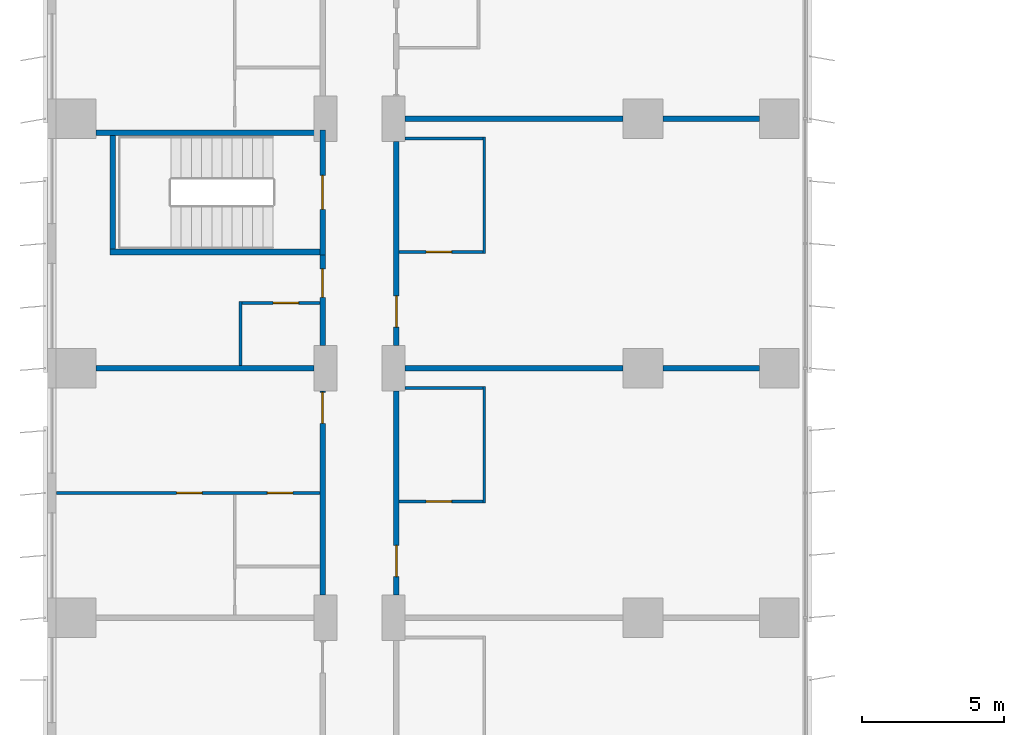
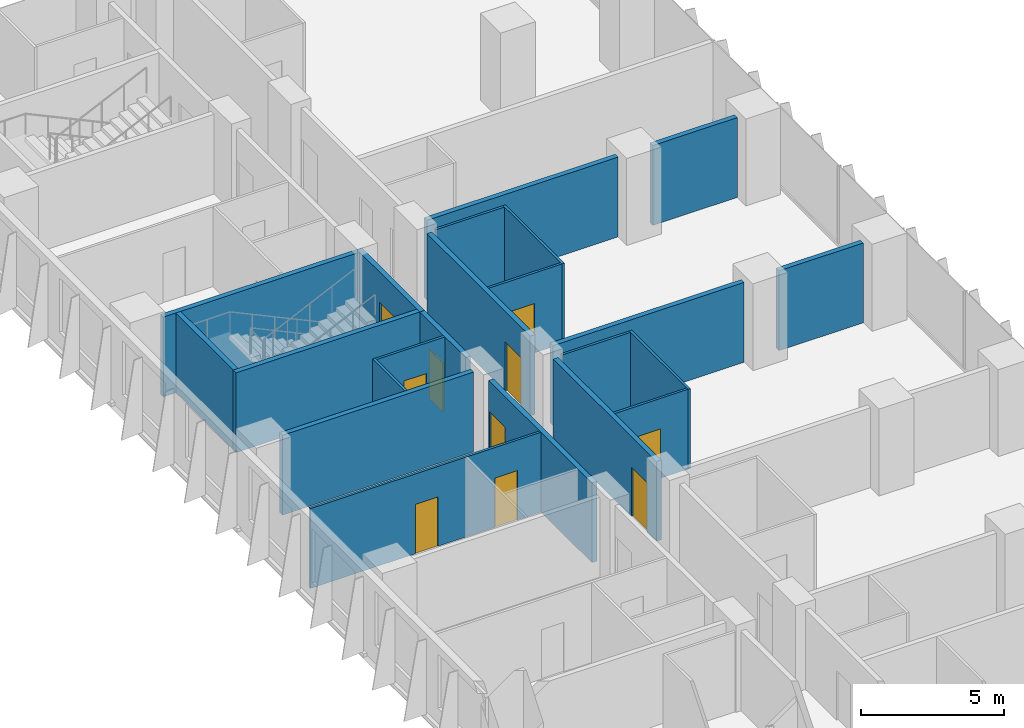
# One storey, part 17 of 24: 22 walls, 10 doors, 10 openings.
"""IFC4 building model written with IfcOpenShell, lengths in metres."""

from ifc_helpers import new_model, si_unit, direction, frame, frame_2d, origin, place, context, subcontext, project, spatial, rectangle, extrude, material, layer, layer_set, type_object, element, fill, save


model = new_model("IFC4")

# Units and contexts
model_context = context("Model", 3, precision=1e-05, world=origin(), true_north=direction((0.0, 1.0)))
body_context = subcontext(model_context, "Body", "Model", "MODEL_VIEW")
ifc_project = project(units=[si_unit("LENGTHUNIT", "METRE"), si_unit("AREAUNIT", "SQUARE_METRE"), si_unit("VOLUMEUNIT", "CUBIC_METRE"), si_unit("PLANEANGLEUNIT", "RADIAN"), si_unit("MASSUNIT", "GRAM", prefix="KILO")], contexts=[model_context])

# Site, building, storey
site_placement = place(None, origin())
site = spatial("IfcSite", under=ifc_project, at=site_placement, CompositionType="ELEMENT")
building_placement = place(site_placement, origin())
building = spatial("IfcBuilding", under=site, at=building_placement, Name="Kemantara Hotel Tower", CompositionType="ELEMENT")
storey_placement = place(building_placement, frame((0.0, 0.0, 76.0)))
storey = spatial("IfcBuildingStorey", under=building, at=storey_placement, Name="L17", CompositionType="ELEMENT", Elevation=76.0)

# Wall, opening, door
ifc_material_1 = material(Name="Gypsum board partition, steel studs and mineral wool, 200 mm", Category="steel")
ifc_layer_1 = layer(ifc_material_1, 0.199951171875)
ifc_layer_set_1 = layer_set([ifc_layer_1], Name="Gypsum board partition, steel studs and mineral wool, 200 mm")
wall_type_1 = type_object("IfcWallType", Name="CORRIDOR WALL 200", PredefinedType="PARTITIONING", material=ifc_layer_set_1)
wall_1_placement = place(storey_placement, frame((9.699951171875, 45.800048828125, 0.0), z_axis=(0.0, 0.0, 1.0), x_axis=(0.0, 1.0, 0.0)))
wall_1 = element("IfcWall", 1, at=wall_1_placement, inside=storey, type_object=wall_type_1, Name="CORRIDOR WALL 200 030", PredefinedType="PARTITIONING", context=body_context, shape_type="SweptSolid", body=[
    extrude(rectangle(XDim=7.199951171875, YDim=0.199951171875, at=frame_2d((3.60009765625, 0.0))), origin(), (0.0, 0.0, 1.0), 3.39990234375),
])
opening_1_placement = place(wall_1_placement, frame((6.0498046875, 0.0, 0.0)))
opening_1 = element("IfcOpeningElement", 2, at=opening_1_placement, cuts=wall_1, Name="Opening F06-040", PredefinedType="OPENING", context=body_context, shape_type="SweptSolid", body=[
    extrude(rectangle(XDim=1.10009765625, YDim=2.10009765625, at=frame_2d((0.550048828125, 1.050048828125))), frame((0.0, 0.10986328125, 0.0), z_axis=(0.0, -1.0, 0.0), x_axis=(1.0, 0.0, 0.0)), (0.0, 0.0, 1.0), 0.219970703125),
])
ifc_material_2 = material(Name="Hardwood veneer door leaf with steel frame", Category="steel")
door_type_1 = type_object("IfcDoorType", Name="SUITE ENTRANCE DOOR 1100 X 2100 FD30S", OperationType="NOTDEFINED", PredefinedType="DOOR", material=ifc_material_2)
door_1_placement = place(opening_1_placement, origin())
door_1 = element("IfcDoor", 3, at=door_1_placement, inside=storey, type_object=door_type_1, Name="SUITE ENTRANCE DOOR F06-040", OperationType="SINGLE_SWING_RIGHT", OverallHeight=2.10009765625, OverallWidth=1.10009765625, PredefinedType="DOOR", context=body_context, shape_type="SweptSolid", body=[
    extrude(rectangle(XDim=1.10009765625, YDim=2.10009765625, at=frame_2d((0.550048828125, 1.050048828125))), frame((0.0, 0.02490234375, 0.0), z_axis=(0.0, -1.0, 0.0), x_axis=(1.0, 0.0, 0.0)), (0.0, 0.0, 1.0), 0.050048828125),
])
fill(opening_1, door_1)

wall_2_placement = place(storey_placement, frame((9.699951171875, 54.60009765625, 0.0), z_axis=(0.0, 0.0, 1.0), x_axis=(0.0, 1.0, 0.0)))
wall_2 = element("IfcWall", 4, at=wall_2_placement, inside=storey, type_object=wall_type_1, Name="CORRIDOR WALL 200 031", PredefinedType="PARTITIONING", context=body_context, shape_type="SweptSolid", body=[
    extrude(rectangle(XDim=3.199951171875, YDim=0.199951171875, at=frame_2d((1.60009765625, 0.0))), origin(), (0.0, 0.0, 1.0), 3.39990234375),
])
opening_2_placement = place(wall_2_placement, frame((1.699951171875, 0.0, 0.0)))
opening_2 = element("IfcOpeningElement", 5, at=opening_2_placement, cuts=wall_2, Name="Opening F06-044", PredefinedType="OPENING", context=body_context, shape_type="SweptSolid", body=[
    extrude(rectangle(XDim=1.0, YDim=2.10009765625, at=frame_2d((0.5, 1.050048828125))), frame((0.0, 0.10986328125, 0.0), z_axis=(0.0, -1.0, 0.0), x_axis=(1.0, 0.0, 0.0)), (0.0, 0.0, 1.0), 0.219970703125),
])
door_type_2 = type_object("IfcDoorType", Name="GUEST ROOM DOOR 1000 X 2100 FD30S", OperationType="NOTDEFINED", PredefinedType="DOOR", material=ifc_material_2)
door_2_placement = place(opening_2_placement, origin())
door_2 = element("IfcDoor", 6, at=door_2_placement, inside=storey, type_object=door_type_2, Name="GUEST ROOM DOOR F06-044", OperationType="SINGLE_SWING_RIGHT", OverallHeight=2.10009765625, OverallWidth=1.0, PredefinedType="DOOR", context=body_context, shape_type="SweptSolid", body=[
    extrude(rectangle(XDim=1.0, YDim=2.10009765625, at=frame_2d((0.5, 1.050048828125))), frame((0.0, 0.02490234375, 0.0), z_axis=(0.0, -1.0, 0.0), x_axis=(1.0, 0.0, 0.0)), (0.0, 0.0, 1.0), 0.050048828125),
])
fill(opening_2, door_2)

wall_3_placement = place(storey_placement, frame((12.300048828125, 53.0, 0.0), z_axis=(0.0, 0.0, 1.0), x_axis=(0.0, -1.0, 0.0)))
wall_3 = element("IfcWall", 7, at=wall_3_placement, inside=storey, type_object=wall_type_1, Name="CORRIDOR WALL 200 047", PredefinedType="PARTITIONING", context=body_context, shape_type="SweptSolid", body=[
    extrude(rectangle(XDim=7.199951171875, YDim=0.199951171875, at=frame_2d((3.60009765625, 0.0))), origin(), (0.0, 0.0, 1.0), 3.39990234375),
])
opening_3_placement = place(wall_3_placement, frame((5.449951171875, 0.0, 0.0)))
opening_3 = element("IfcOpeningElement", 8, at=opening_3_placement, cuts=wall_3, Name="Opening F06-058", PredefinedType="OPENING", context=body_context, shape_type="SweptSolid", body=[
    extrude(rectangle(XDim=1.10009765625, YDim=2.10009765625, at=frame_2d((0.550048828125, 1.050048828125))), frame((0.0, 0.10986328125, 0.0), z_axis=(0.0, -1.0, 0.0), x_axis=(1.0, 0.0, 0.0)), (0.0, 0.0, 1.0), 0.219970703125),
])
door_3_placement = place(opening_3_placement, origin())
door_3 = element("IfcDoor", 9, at=door_3_placement, inside=storey, type_object=door_type_1, Name="SUITE ENTRANCE DOOR F06-058", OperationType="SINGLE_SWING_RIGHT", OverallHeight=2.10009765625, OverallWidth=1.10009765625, PredefinedType="DOOR", context=body_context, shape_type="SweptSolid", body=[
    extrude(rectangle(XDim=1.10009765625, YDim=2.10009765625, at=frame_2d((0.550048828125, 1.050048828125))), frame((0.0, 0.02490234375, 0.0), z_axis=(0.0, -1.0, 0.0), x_axis=(1.0, 0.0, 0.0)), (0.0, 0.0, 1.0), 0.050048828125),
])
fill(opening_3, door_3)

wall_4_placement = place(storey_placement, frame((12.300048828125, 61.7998046875, 0.0), z_axis=(0.0, 0.0, 1.0), x_axis=(0.0, -1.0, 0.0)))
wall_4 = element("IfcWall", 10, at=wall_4_placement, inside=storey, type_object=wall_type_1, Name="CORRIDOR WALL 200 048", PredefinedType="PARTITIONING", context=body_context, shape_type="SweptSolid", body=[
    extrude(rectangle(XDim=7.19970703125, YDim=0.199951171875, at=frame_2d((3.599853515625, 0.0))), origin(), (0.0, 0.0, 1.0), 3.39990234375),
])
opening_4_placement = place(wall_4_placement, frame((5.449951171875, 0.0, 0.0)))
opening_4 = element("IfcOpeningElement", 11, at=opening_4_placement, cuts=wall_4, Name="Opening F06-060", PredefinedType="OPENING", context=body_context, shape_type="SweptSolid", body=[
    extrude(rectangle(XDim=1.10009765625, YDim=2.10009765625, at=frame_2d((0.550048828125, 1.050048828125))), frame((0.0, 0.10986328125, 0.0), z_axis=(0.0, -1.0, 0.0), x_axis=(1.0, 0.0, 0.0)), (0.0, 0.0, 1.0), 0.219970703125),
])
door_4_placement = place(opening_4_placement, origin())
door_4 = element("IfcDoor", 12, at=door_4_placement, inside=storey, type_object=door_type_1, Name="SUITE ENTRANCE DOOR F06-060", OperationType="SINGLE_SWING_RIGHT", OverallHeight=2.10009765625, OverallWidth=1.10009765625, PredefinedType="DOOR", context=body_context, shape_type="SweptSolid", body=[
    extrude(rectangle(XDim=1.10009765625, YDim=2.10009765625, at=frame_2d((0.550048828125, 1.050048828125))), frame((0.0, 0.02490234375, 0.0), z_axis=(0.0, -1.0, 0.0), x_axis=(1.0, 0.0, 0.0)), (0.0, 0.0, 1.0), 0.050048828125),
])
fill(opening_4, door_4)

ifc_material_3 = material(Name="Concrete fc 40 MPa", Category="concrete")
ifc_layer_2 = layer(ifc_material_3, 0.199951171875)
ifc_layer_set_2 = layer_set([ifc_layer_2], Name="Concrete fc 40 MPa")
wall_type_2 = type_object("IfcWallType", Name="Concrete stair wall 200 mm", PredefinedType="SHEAR", material=ifc_layer_set_2)
wall_5_placement = place(storey_placement, frame((9.699951171875, 57.800048828125, 0.0), z_axis=(0.0, 0.0, 1.0), x_axis=(0.0, 1.0, 0.0)))
wall_5 = element("IfcWall", 13, at=wall_5_placement, inside=storey, type_object=wall_type_2, Name="Stair ST4 enclosure wall with door", PredefinedType="SHEAR", context=body_context, shape_type="SweptSolid", body=[
    extrude(rectangle(XDim=4.39990234375, YDim=0.199951171875, at=frame_2d((2.199951171875, 0.0))), origin(), (0.0, 0.0, 1.0), 3.39990234375),
])
opening_5_placement = place(wall_5_placement, frame((1.60009765625, 0.0, 0.0)))
opening_5 = element("IfcOpeningElement", 14, at=opening_5_placement, cuts=wall_5, Name="Opening ST4-C", PredefinedType="OPENING", context=body_context, shape_type="SweptSolid", body=[
    extrude(rectangle(XDim=1.199951171875, YDim=2.10009765625, at=frame_2d((0.60009765625, 1.050048828125))), frame((0.0, 0.10986328125, 0.0), z_axis=(0.0, -1.0, 0.0), x_axis=(1.0, 0.0, 0.0)), (0.0, 0.0, 1.0), 0.219970703125),
])
ifc_material_4 = material(Name="Steel fire door", Category="steel")
door_type_3 = type_object("IfcDoorType", Name="Fire door FD90 1200 x 2100", OperationType="NOTDEFINED", PredefinedType="DOOR", material=ifc_material_4)
door_5_placement = place(opening_5_placement, origin())
door_5 = element("IfcDoor", 15, at=door_5_placement, inside=storey, type_object=door_type_3, Name="Stair ST4 door", OperationType="SINGLE_SWING_RIGHT", OverallHeight=2.10009765625, OverallWidth=1.199951171875, PredefinedType="DOOR", context=body_context, shape_type="SweptSolid", body=[
    extrude(rectangle(XDim=1.199951171875, YDim=2.10009765625, at=frame_2d((0.60009765625, 1.050048828125))), frame((0.0, 0.02490234375, 0.0), z_axis=(0.0, -1.0, 0.0), x_axis=(1.0, 0.0, 0.0)), (0.0, 0.0, 1.0), 0.050048828125),
])
fill(opening_5, door_5)

# Walls
wall_6_placement = place(storey_placement, frame((1.699951171875, 62.10009765625, 0.0), z_axis=(0.0, 0.0, 1.0), x_axis=(1.0, 0.0, 0.0)))
element("IfcWall", 16, at=wall_6_placement, inside=storey, type_object=wall_type_2, Name="Stair ST4 enclosure wall N", PredefinedType="SHEAR", context=body_context, shape_type="SweptSolid", body=[
    extrude(rectangle(XDim=7.900146484375, YDim=0.199951171875, at=frame_2d((3.9501953125, 0.0))), origin(), (0.0, 0.0, 1.0), 3.39990234375),
])
wall_7_placement = place(storey_placement, frame((2.199951171875, 57.89990234375, 0.0), z_axis=(0.0, 0.0, 1.0), x_axis=(1.0, 0.0, 0.0)))
element("IfcWall", 17, at=wall_7_placement, inside=storey, type_object=wall_type_2, Name="Stair ST4 enclosure wall S", PredefinedType="SHEAR", context=body_context, shape_type="SweptSolid", body=[
    extrude(rectangle(XDim=7.400146484375, YDim=0.199951171875, at=frame_2d((3.7001953125, 0.0))), origin(), (0.0, 0.0, 1.0), 3.39990234375),
])
wall_8_placement = place(storey_placement, frame((2.300048828125, 58.0, 0.0), z_axis=(0.0, 0.0, 1.0), x_axis=(0.0, 1.0, 0.0)))
element("IfcWall", 18, at=wall_8_placement, inside=storey, type_object=wall_type_2, Name="Stair ST4 enclosure wall W", PredefinedType="SHEAR", context=body_context, shape_type="SweptSolid", body=[
    extrude(rectangle(XDim=4.0, YDim=0.199951171875, at=frame_2d((2.0, 0.0))), origin(), (0.0, 0.0, 1.0), 3.39990234375),
])
ifc_layer_3 = layer(ifc_material_1, 0.199951171875)
ifc_layer_set_3 = layer_set([ifc_layer_3], Name="Gypsum board partition, steel studs and mineral wool, 200 mm")
wall_type_3 = type_object("IfcWallType", Name="GUEST ROOM PARTY WALL 200", PredefinedType="PARTITIONING", material=ifc_layer_set_3)
for number, where, z_axis, x_axis, name in (
    (19, (1.7001953125, 53.800048828125, 0.0), (0.0, 0.0, 1.0), (1.0, 0.0, 0.0), "GUEST ROOM PARTY WALL 200 041"),
    (20, (12.60009765625, 53.800048828125, 0.0), (0.0, 0.0, 1.0), (1.0, 0.0, 0.0), "GUEST ROOM PARTY WALL 200 042"),
):
    element("IfcWall", number, at=place(storey_placement, frame(where, z_axis=z_axis, x_axis=x_axis)), inside=storey, type_object=wall_type_3, Name=name, PredefinedType="PARTITIONING", context=body_context, shape_type="SweptSolid", body=[
        extrude(rectangle(XDim=7.69970703125, YDim=0.199951171875, at=frame_2d((3.849853515625, 0.0))), origin(), (0.0, 0.0, 1.0), 3.39990234375),
    ])
wall_9_placement = place(storey_placement, frame((21.7001953125, 53.800048828125, 0.0), z_axis=(0.0, 0.0, 1.0), x_axis=(1.0, 0.0, 0.0)))
element("IfcWall", 21, at=wall_9_placement, inside=storey, type_object=wall_type_3, Name="GUEST ROOM PARTY WALL 200 043", PredefinedType="PARTITIONING", context=body_context, shape_type="SweptSolid", body=[
    extrude(rectangle(XDim=3.399658203125, YDim=0.199951171875, at=frame_2d((1.69970703125, 0.0))), origin(), (0.0, 0.0, 1.0), 3.39990234375),
])
wall_10_placement = place(storey_placement, frame((12.60009765625, 62.60009765625, 0.0), z_axis=(0.0, 0.0, 1.0), x_axis=(1.0, 0.0, 0.0)))
element("IfcWall", 22, at=wall_10_placement, inside=storey, type_object=wall_type_3, Name="GUEST ROOM PARTY WALL 200 055", PredefinedType="PARTITIONING", context=body_context, shape_type="SweptSolid", body=[
    extrude(rectangle(XDim=7.69970703125, YDim=0.199951171875, at=frame_2d((3.849853515625, 0.0))), origin(), (0.0, 0.0, 1.0), 3.39990234375),
])
wall_11_placement = place(storey_placement, frame((21.7001953125, 62.60009765625, 0.0), z_axis=(0.0, 0.0, 1.0), x_axis=(1.0, 0.0, 0.0)))
element("IfcWall", 23, at=wall_11_placement, inside=storey, type_object=wall_type_3, Name="GUEST ROOM PARTY WALL 200 056", PredefinedType="PARTITIONING", context=body_context, shape_type="SweptSolid", body=[
    extrude(rectangle(XDim=3.399658203125, YDim=0.199951171875, at=frame_2d((1.69970703125, 0.0))), origin(), (0.0, 0.0, 1.0), 3.39990234375),
])

# Wall, openings, doors
ifc_material_5 = material(Name="Gypsum board partition on steel studs, 100 mm", Category="steel")
ifc_layer_4 = layer(ifc_material_5, 0.10009765625)
ifc_layer_set_4 = layer_set([ifc_layer_4], Name="Gypsum board partition on steel studs, 100 mm")
wall_type_4 = type_object("IfcWallType", Name="ROOM PARTITION 100", PredefinedType="PARTITIONING", material=ifc_layer_set_4)
wall_12_placement = place(storey_placement, frame((0.31005859375, 49.39990234375, 0.0), z_axis=(0.0, 0.0, 1.0), x_axis=(1.0, 0.0, 0.0)))
wall_12 = element("IfcWall", 24, at=wall_12_placement, inside=storey, type_object=wall_type_4, Name="ROOM PARTITION 100 099", PredefinedType="PARTITIONING", context=body_context, shape_type="SweptSolid", body=[
    extrude(rectangle(XDim=9.2900390625, YDim=0.10009765625, at=frame_2d((4.64501953125, 0.0))), origin(), (0.0, 0.0, 1.0), 3.39990234375),
])
opening_6_placement = place(wall_12_placement, frame((7.43994140625, 0.0, 0.0)))
opening_6 = element("IfcOpeningElement", 25, at=opening_6_placement, cuts=wall_12, Name="Opening F06-041", PredefinedType="OPENING", context=body_context, shape_type="SweptSolid", body=[
    extrude(rectangle(XDim=0.89990234375, YDim=2.10009765625, at=frame_2d((0.449951171875, 1.050048828125))), frame((0.0, 0.06005859375, 0.0), z_axis=(0.0, -1.0, 0.0), x_axis=(1.0, 0.0, 0.0)), (0.0, 0.0, 1.0), 0.1201171875),
])
opening_7_placement = place(wall_12_placement, frame((4.239990234375, 0.0, 0.0)))
opening_7 = element("IfcOpeningElement", 26, at=opening_7_placement, cuts=wall_12, Name="Opening F06-042", PredefinedType="OPENING", context=body_context, shape_type="SweptSolid", body=[
    extrude(rectangle(XDim=0.89990234375, YDim=2.10009765625, at=frame_2d((0.449951171875, 1.050048828125))), frame((0.0, 0.06005859375, 0.0), z_axis=(0.0, -1.0, 0.0), x_axis=(1.0, 0.0, 0.0)), (0.0, 0.0, 1.0), 0.1201171875),
])
door_type_4 = type_object("IfcDoorType", Name="INTERNAL DOOR 900 X 2100", OperationType="NOTDEFINED", PredefinedType="DOOR", material=ifc_material_2)
door_6_placement = place(opening_7_placement, frame((0.89990234375, 0.0, 0.0), z_axis=(0.0, 0.0, 1.0), x_axis=(-1.0, 0.0, 0.0)))
door_6 = element("IfcDoor", 27, at=door_6_placement, inside=storey, type_object=door_type_4, Name="INTERNAL DOOR F06-042", OperationType="SINGLE_SWING_RIGHT", OverallHeight=2.10009765625, OverallWidth=0.89990234375, PredefinedType="DOOR", context=body_context, shape_type="SweptSolid", body=[
    extrude(rectangle(XDim=0.89990234375, YDim=2.10009765625, at=frame_2d((0.449951171875, 1.050048828125))), frame((0.0, 0.02490234375, 0.0), z_axis=(0.0, -1.0, 0.0), x_axis=(1.0, 0.0, 0.0)), (0.0, 0.0, 1.0), 0.050048828125),
])
fill(opening_7, door_6)
door_type_5 = type_object("IfcDoorType", Name="PANTRY DOOR 900 X 2100", OperationType="NOTDEFINED", PredefinedType="DOOR", material=ifc_material_2)
door_7_placement = place(opening_6_placement, origin())
door_7 = element("IfcDoor", 28, at=door_7_placement, inside=storey, type_object=door_type_5, Name="PANTRY DOOR F06-041", OperationType="SINGLE_SWING_RIGHT", OverallHeight=2.10009765625, OverallWidth=0.89990234375, PredefinedType="DOOR", context=body_context, shape_type="SweptSolid", body=[
    extrude(rectangle(XDim=0.89990234375, YDim=2.10009765625, at=frame_2d((0.449951171875, 1.050048828125))), frame((0.0, 0.02490234375, 0.0), z_axis=(0.0, -1.0, 0.0), x_axis=(1.0, 0.0, 0.0)), (0.0, 0.0, 1.0), 0.050048828125),
])
fill(opening_6, door_7)

# Wall
wall_13_placement = place(storey_placement, frame((6.800048828125, 53.89990234375, 0.0), z_axis=(0.0, 0.0, 1.0), x_axis=(0.0, 1.0, 0.0)))
element("IfcWall", 29, at=wall_13_placement, inside=storey, type_object=wall_type_4, Name="ROOM PARTITION 100 101", PredefinedType="PARTITIONING", context=body_context, shape_type="SweptSolid", body=[
    extrude(rectangle(XDim=2.25, YDim=0.10009765625, at=frame_2d((1.125, 0.0))), origin(), (0.0, 0.0, 1.0), 3.39990234375),
])

# Wall, opening, door
wall_14_placement = place(storey_placement, frame((9.60009765625, 56.10009765625, 0.0), z_axis=(0.0, 0.0, 1.0), x_axis=(-1.0, 0.0, 0.0)))
wall_14 = element("IfcWall", 30, at=wall_14_placement, inside=storey, type_object=wall_type_4, Name="ROOM PARTITION 100 102", PredefinedType="PARTITIONING", context=body_context, shape_type="SweptSolid", body=[
    extrude(rectangle(XDim=2.75, YDim=0.10009765625, at=frame_2d((1.375, 0.0))), origin(), (0.0, 0.0, 1.0), 3.39990234375),
])
opening_8_placement = place(wall_14_placement, frame((0.75, 0.0, 0.0)))
opening_8 = element("IfcOpeningElement", 31, at=opening_8_placement, cuts=wall_14, Name="Opening F06-045", PredefinedType="OPENING", context=body_context, shape_type="SweptSolid", body=[
    extrude(rectangle(XDim=0.89990234375, YDim=2.10009765625, at=frame_2d((0.449951171875, 1.050048828125))), frame((0.0, 0.06005859375, 0.0), z_axis=(0.0, -1.0, 0.0), x_axis=(1.0, 0.0, 0.0)), (0.0, 0.0, 1.0), 0.1201171875),
])
door_type_6 = type_object("IfcDoorType", Name="BATHROOM DOOR 900 X 2100", OperationType="NOTDEFINED", PredefinedType="DOOR", material=ifc_material_2)
door_8_placement = place(opening_8_placement, origin())
door_8 = element("IfcDoor", 32, at=door_8_placement, inside=storey, type_object=door_type_6, Name="BATHROOM DOOR F06-045", OperationType="SINGLE_SWING_LEFT", OverallHeight=2.10009765625, OverallWidth=0.89990234375, PredefinedType="DOOR", context=body_context, shape_type="SweptSolid", body=[
    extrude(rectangle(XDim=0.89990234375, YDim=2.10009765625, at=frame_2d((0.449951171875, 1.050048828125))), frame((0.0, 0.02490234375, 0.0), z_axis=(0.0, -1.0, 0.0), x_axis=(1.0, 0.0, 0.0)), (0.0, 0.0, 1.0), 0.050048828125),
])
fill(opening_8, door_8)

# Walls
for number, where, z_axis, x_axis, name in (
    (33, (15.39990234375, 49.050048828125, 0.0), (0.0, 0.0, 1.0), (0.0, 1.0, 0.0), "ROOM PARTITION 100 108"),
    (34, (15.39990234375, 57.85009765625, 0.0), (0.0, 0.0, 1.0), (0.0, 1.0, 0.0), "ROOM PARTITION 100 109"),
):
    element("IfcWall", number, at=place(storey_placement, frame(where, z_axis=z_axis, x_axis=x_axis)), inside=storey, type_object=wall_type_4, Name=name, PredefinedType="PARTITIONING", context=body_context, shape_type="SweptSolid", body=[
        extrude(rectangle(XDim=4.099853515625, YDim=0.10009765625, at=frame_2d((2.0498046875, 0.0))), origin(), (0.0, 0.0, 1.0), 3.39990234375),
    ])

# Wall, opening, door
wall_15_placement = place(storey_placement, frame((12.39990234375, 49.10009765625, 0.0), z_axis=(0.0, 0.0, 1.0), x_axis=(1.0, 0.0, 0.0)))
wall_15 = element("IfcWall", 35, at=wall_15_placement, inside=storey, type_object=wall_type_4, Name="ROOM PARTITION 100 116", PredefinedType="PARTITIONING", context=body_context, shape_type="SweptSolid", body=[
    extrude(rectangle(XDim=2.9501953125, YDim=0.10009765625, at=frame_2d((1.47509765625, 0.0))), origin(), (0.0, 0.0, 1.0), 3.39990234375),
])
opening_9_placement = place(wall_15_placement, frame((0.949951171875, 0.0, 0.0)))
opening_9 = element("IfcOpeningElement", 36, at=opening_9_placement, cuts=wall_15, Name="Opening F06-059", PredefinedType="OPENING", context=body_context, shape_type="SweptSolid", body=[
    extrude(rectangle(XDim=0.89990234375, YDim=2.10009765625, at=frame_2d((0.449951171875, 1.050048828125))), frame((0.0, 0.06005859375, 0.0), z_axis=(0.0, -1.0, 0.0), x_axis=(1.0, 0.0, 0.0)), (0.0, 0.0, 1.0), 0.1201171875),
])
door_9_placement = place(opening_9_placement, origin())
door_9 = element("IfcDoor", 37, at=door_9_placement, inside=storey, type_object=door_type_6, Name="BATHROOM DOOR F06-059", OperationType="SINGLE_SWING_LEFT", OverallHeight=2.10009765625, OverallWidth=0.89990234375, PredefinedType="DOOR", context=body_context, shape_type="SweptSolid", body=[
    extrude(rectangle(XDim=0.89990234375, YDim=2.10009765625, at=frame_2d((0.449951171875, 1.050048828125))), frame((0.0, 0.02490234375, 0.0), z_axis=(0.0, -1.0, 0.0), x_axis=(1.0, 0.0, 0.0)), (0.0, 0.0, 1.0), 0.050048828125),
])
fill(opening_9, door_9)

# Wall
wall_16_placement = place(storey_placement, frame((12.60009765625, 53.10009765625, 0.0), z_axis=(0.0, 0.0, 1.0), x_axis=(1.0, 0.0, 0.0)))
element("IfcWall", 38, at=wall_16_placement, inside=storey, type_object=wall_type_4, Name="ROOM PARTITION 100 117", PredefinedType="PARTITIONING", context=body_context, shape_type="SweptSolid", body=[
    extrude(rectangle(XDim=2.75, YDim=0.10009765625, at=frame_2d((1.375, 0.0))), origin(), (0.0, 0.0, 1.0), 3.39990234375),
])

# Wall, opening, door
wall_17_placement = place(storey_placement, frame((12.39990234375, 57.89990234375, 0.0), z_axis=(0.0, 0.0, 1.0), x_axis=(1.0, 0.0, 0.0)))
wall_17 = element("IfcWall", 39, at=wall_17_placement, inside=storey, type_object=wall_type_4, Name="ROOM PARTITION 100 118", PredefinedType="PARTITIONING", context=body_context, shape_type="SweptSolid", body=[
    extrude(rectangle(XDim=2.9501953125, YDim=0.10009765625, at=frame_2d((1.47509765625, 0.0))), origin(), (0.0, 0.0, 1.0), 3.39990234375),
])
opening_10_placement = place(wall_17_placement, frame((0.949951171875, 0.0, 0.0)))
opening_10 = element("IfcOpeningElement", 40, at=opening_10_placement, cuts=wall_17, Name="Opening F06-061", PredefinedType="OPENING", context=body_context, shape_type="SweptSolid", body=[
    extrude(rectangle(XDim=0.89990234375, YDim=2.10009765625, at=frame_2d((0.449951171875, 1.050048828125))), frame((0.0, 0.06005859375, 0.0), z_axis=(0.0, -1.0, 0.0), x_axis=(1.0, 0.0, 0.0)), (0.0, 0.0, 1.0), 0.1201171875),
])
door_10_placement = place(opening_10_placement, origin())
door_10 = element("IfcDoor", 41, at=door_10_placement, inside=storey, type_object=door_type_6, Name="BATHROOM DOOR F06-061", OperationType="SINGLE_SWING_LEFT", OverallHeight=2.10009765625, OverallWidth=0.89990234375, PredefinedType="DOOR", context=body_context, shape_type="SweptSolid", body=[
    extrude(rectangle(XDim=0.89990234375, YDim=2.10009765625, at=frame_2d((0.449951171875, 1.050048828125))), frame((0.0, 0.02490234375, 0.0), z_axis=(0.0, -1.0, 0.0), x_axis=(1.0, 0.0, 0.0)), (0.0, 0.0, 1.0), 0.050048828125),
])
fill(opening_10, door_10)

# Wall
wall_18_placement = place(storey_placement, frame((12.60009765625, 61.89990234375, 0.0), z_axis=(0.0, 0.0, 1.0), x_axis=(1.0, 0.0, 0.0)))
element("IfcWall", 42, at=wall_18_placement, inside=storey, type_object=wall_type_4, Name="ROOM PARTITION 100 119", PredefinedType="PARTITIONING", context=body_context, shape_type="SweptSolid", body=[
    extrude(rectangle(XDim=2.75, YDim=0.10009765625, at=frame_2d((1.375, 0.0))), origin(), (0.0, 0.0, 1.0), 3.39990234375),
])

save(model, "model.ifc")
